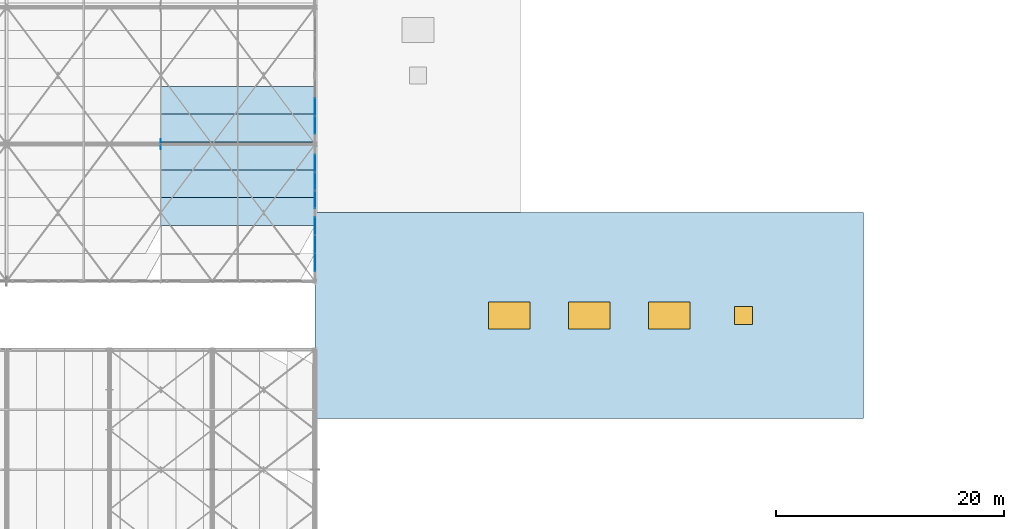
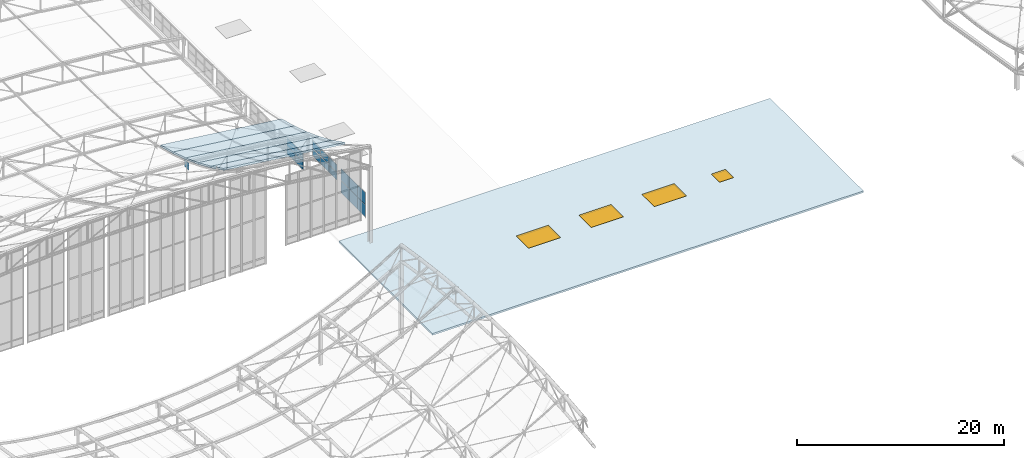
# One storey, part 222 of 262: 17 plates, 6 slabs, 4 windows, 4 openings, 3 elements without a shape of their own.
"""IFC4 building model written with IfcOpenShell, lengths in metres."""

from ifc_helpers import new_model, si_unit, derived_unit, direction, frame, origin, origin_2d, place, context, subcontext, project, spatial, polyline, rectangle, outline, extrude, material, layer, layer_set, type_object, element, fill, aggregate, save


model = new_model("IFC4")

# Units and contexts
model_context = context("Model", 3, precision=1e-05, world=origin(), true_north=direction((0.0, 1.0)))
body_context = subcontext(model_context, "Body", "Model", "MODEL_VIEW")
ifc_project = project(units=[si_unit("LENGTHUNIT", "METRE"), si_unit("AREAUNIT", "SQUARE_METRE"), si_unit("VOLUMEUNIT", "CUBIC_METRE"), si_unit("PLANEANGLEUNIT", "RADIAN"), si_unit("MASSUNIT", "GRAM", prefix="KILO"), derived_unit("THERMALTRANSMITTANCEUNIT", [(si_unit("POWERUNIT", "WATT"), 1), (si_unit("LENGTHUNIT", "METRE"), -2), (si_unit("THERMODYNAMICTEMPERATUREUNIT", "KELVIN"), -1)])], contexts=[model_context])

# Site, building, storey
site_placement = place(None, origin())
site = spatial("IfcSite", under=ifc_project, at=site_placement, CompositionType="ELEMENT")
building_placement = place(site_placement, origin())
building = spatial("IfcBuilding", under=site, at=building_placement, Name="Almenara Railside Exhibition Hall", CompositionType="ELEMENT")
storey_placement = place(building_placement, frame((0.0, 0.0, 21.699951171875)))
storey = spatial("IfcBuildingStorey", under=building, at=storey_placement, Name="RF", CompositionType="ELEMENT", Elevation=21.699951171875)

# Curtain wall, plates
ifc_material_1 = material(Name="Bronze-anodised aluminium and low-E double glazing", Category="aluminium")
ifc_layer_1 = layer(ifc_material_1, 0.179931640625, Name="Bronze-anodised aluminium and low-E double glazing")
ifc_layer_set_1 = layer_set([ifc_layer_1], Name="Bronze-anodised aluminium and low-E double glazing")
curtain_wall_type = type_object("IfcCurtainWallType", Name="West Hall Clerestory Curtain Wall 4200x2400", PredefinedType="NOTDEFINED", material=ifc_layer_set_1)
curtain_wall_1_placement = place(storey_placement, origin())
curtain_wall_1 = element("IfcCurtainWall", 1, at=curtain_wall_1_placement, inside=storey, type_object=curtain_wall_type, Name="Curtain wall CW-CL1-170", PredefinedType="NOTDEFINED")
ifc_material_2 = material(Name="Solar-control acoustic laminated glazing", Category="glass")
ifc_layer_2 = layer(ifc_material_2, 0.031982421875, Name="Solar-control acoustic laminated glazing")
ifc_layer_set_2 = layer_set([ifc_layer_2], Name="Solar-control acoustic laminated glazing")
plate_type_1 = type_object("IfcPlateType", Name="Acoustic Low-E Double Glazing Panel 32mm", PredefinedType="CURTAIN_PANEL", material=ifc_layer_set_2)
plate_1_placement = place(storey_placement, frame((66.0, 49.663818359375, 0.02392578125), z_axis=(0.0, 0.0, 1.0), x_axis=(0.0, 1.0, 0.0)))
plate_1 = element("IfcPlate", 2, at=plate_1_placement, type_object=plate_type_1, Name="CW-CL1-170 panel 1.1", PredefinedType="CURTAIN_PANEL", context=body_context, shape_type="SweptSolid", body=[
    extrude(rectangle(XDim=1.533447265625, YDim=0.031982421875, at=origin_2d()), origin(), (0.0, 0.0, 1.0), 1.39208984375),
])
plate_2_placement = place(storey_placement, frame((66.0, 49.663818359375, 1.47412109375), z_axis=(0.0, 0.0, 1.0), x_axis=(0.0, 1.0, 0.0)))
plate_2 = element("IfcPlate", 3, at=plate_2_placement, type_object=plate_type_1, Name="CW-CL1-170 panel 1.2", PredefinedType="CURTAIN_PANEL", context=body_context, shape_type="SweptSolid", body=[
    extrude(rectangle(XDim=1.533447265625, YDim=0.031982421875, at=origin_2d()), origin(), (0.0, 0.0, 1.0), 1.39208984375),
])
plate_3_placement = place(storey_placement, frame((66.0, 51.25, 0.02392578125), z_axis=(0.0, 0.0, 1.0), x_axis=(0.0, 1.0, 0.0)))
plate_3 = element("IfcPlate", 4, at=plate_3_placement, type_object=plate_type_1, Name="CW-CL1-170 panel 2.1", PredefinedType="CURTAIN_PANEL", context=body_context, shape_type="SweptSolid", body=[
    extrude(rectangle(XDim=1.56103515625, YDim=0.031982421875, at=origin_2d()), origin(), (0.0, 0.0, 1.0), 1.39208984375),
])
plate_4_placement = place(storey_placement, frame((66.0, 51.25, 1.47412109375), z_axis=(0.0, 0.0, 1.0), x_axis=(0.0, 1.0, 0.0)))
plate_4 = element("IfcPlate", 5, at=plate_4_placement, type_object=plate_type_1, Name="CW-CL1-170 panel 2.2", PredefinedType="CURTAIN_PANEL", context=body_context, shape_type="SweptSolid", body=[
    extrude(rectangle(XDim=1.56103515625, YDim=0.031982421875, at=origin_2d()), origin(), (0.0, 0.0, 1.0), 1.39208984375),
])
plate_5_placement = place(storey_placement, frame((66.0, 52.836181640625, 0.02392578125), z_axis=(0.0, 0.0, 1.0), x_axis=(0.0, 1.0, 0.0)))
plate_5 = element("IfcPlate", 6, at=plate_5_placement, type_object=plate_type_1, Name="CW-CL1-170 panel 3.1", PredefinedType="CURTAIN_PANEL", context=body_context, shape_type="SweptSolid", body=[
    extrude(rectangle(XDim=1.533447265625, YDim=0.031982421875, at=origin_2d()), origin(), (0.0, 0.0, 1.0), 1.39208984375),
])
plate_6_placement = place(storey_placement, frame((66.0, 52.836181640625, 1.47412109375), z_axis=(0.0, 0.0, 1.0), x_axis=(0.0, 1.0, 0.0)))
plate_6 = element("IfcPlate", 7, at=plate_6_placement, type_object=plate_type_1, Name="CW-CL1-170 panel 3.2", PredefinedType="CURTAIN_PANEL", context=body_context, shape_type="SweptSolid", body=[
    extrude(rectangle(XDim=1.533447265625, YDim=0.031982421875, at=origin_2d()), origin(), (0.0, 0.0, 1.0), 1.39208984375),
])
aggregate(curtain_wall_1, [plate_1, plate_2, plate_3, plate_4, plate_5, plate_6])

# Slab, openings, windows
ifc_material_3 = material(Name="White standing-seam over Concrete C35/45 vault deck", Category="concrete")
ifc_layer_3 = layer(ifc_material_3, 0.2099609375, Name="White standing-seam over Concrete C35/45 vault deck")
ifc_layer_set_3 = layer_set([ifc_layer_3], Name="White standing-seam over Concrete C35/45 vault deck")
slab_type_1 = type_object("IfcSlabType", Name="Concourse Barrel-Vault Roof Slab 210mm C35/45", PredefinedType="ROOF", material=ifc_layer_set_3)
slab_1_placement = place(storey_placement, frame((0.0, 0.0, -6.099853515625)))
slab_1 = element("IfcSlab", 8, at=slab_1_placement, inside=storey, type_object=slab_type_1, Name="Concourse South roof 028", PredefinedType="ROOF", context=body_context, shape_type="SweptSolid", body=[
    extrude(outline(polyline([(66.0, 36.0), (114.0, 36.0), (114.0, 54.0), (66.0, 54.0), (66.0, 36.0)])), origin(), (0.0, 0.0, 1.0), 0.2099609375),
])
opening_1_placement = place(slab_1_placement, frame((83.0, 45.0, 0.0)))
opening_1 = element("IfcOpeningElement", 9, at=opening_1_placement, cuts=slab_1, Name="Opening SK-01", PredefinedType="OPENING", context=body_context, shape_type="SweptSolid", body=[
    extrude(rectangle(XDim=3.60009765625, YDim=2.39990234375, at=origin_2d()), frame((0.0, 0.0, -0.010009765625)), (0.0, 0.0, 1.0), 0.22998046875),
])
opening_2_placement = place(slab_1_placement, frame((90.0, 45.0, 0.0)))
opening_2 = element("IfcOpeningElement", 10, at=opening_2_placement, cuts=slab_1, Name="Opening SK-01", PredefinedType="OPENING", context=body_context, shape_type="SweptSolid", body=[
    extrude(rectangle(XDim=3.60009765625, YDim=2.39990234375, at=origin_2d()), frame((0.0, 0.0, -0.010009765625)), (0.0, 0.0, 1.0), 0.22998046875),
])
opening_3_placement = place(slab_1_placement, frame((97.0, 45.0, 0.0)))
opening_3 = element("IfcOpeningElement", 11, at=opening_3_placement, cuts=slab_1, Name="Opening SK-01", PredefinedType="OPENING", context=body_context, shape_type="SweptSolid", body=[
    extrude(rectangle(XDim=3.60009765625, YDim=2.39990234375, at=origin_2d()), frame((0.0, 0.0, -0.010009765625)), (0.0, 0.0, 1.0), 0.22998046875),
])
opening_4_placement = place(slab_1_placement, frame((103.5, 45.0, 0.0)))
opening_4 = element("IfcOpeningElement", 12, at=opening_4_placement, cuts=slab_1, Name="Opening SK-03", PredefinedType="OPENING", context=body_context, shape_type="SweptSolid", body=[
    extrude(rectangle(XDim=1.60009765625, YDim=1.60009765625, at=origin_2d()), frame((0.0, 0.0, -0.010009765625)), (0.0, 0.0, 1.0), 0.22998046875),
])
window_type_1 = type_object("IfcWindowType", Name="Concourse Roof Skylight 3600x2400", PartitioningType="DOUBLE_PANEL_HORIZONTAL", PredefinedType="SKYLIGHT", material=ifc_material_1)
window_1_placement = place(opening_1_placement, frame((0.0, 0.0, 0.159912109375)))
window_1 = element("IfcWindow", 13, at=window_1_placement, inside=storey, type_object=window_type_1, Name="Roof skylight 0130", OverallHeight=2.39990234375, OverallWidth=3.60009765625, PartitioningType="SINGLE_PANEL", PredefinedType="SKYLIGHT", context=body_context, shape_type="SweptSolid", body=[
    extrude(rectangle(XDim=3.60009765625, YDim=2.39990234375, at=origin_2d()), origin(), (0.0, 0.0, 1.0), 0.050048828125),
])
fill(opening_1, window_1)
window_2_placement = place(opening_2_placement, frame((0.0, 0.0, 0.159912109375)))
window_2 = element("IfcWindow", 14, at=window_2_placement, inside=storey, type_object=window_type_1, Name="Roof skylight 0131", OverallHeight=2.39990234375, OverallWidth=3.60009765625, PartitioningType="SINGLE_PANEL", PredefinedType="SKYLIGHT", context=body_context, shape_type="SweptSolid", body=[
    extrude(rectangle(XDim=3.60009765625, YDim=2.39990234375, at=origin_2d()), origin(), (0.0, 0.0, 1.0), 0.050048828125),
])
fill(opening_2, window_2)
window_3_placement = place(opening_3_placement, frame((0.0, 0.0, 0.159912109375)))
window_3 = element("IfcWindow", 15, at=window_3_placement, inside=storey, type_object=window_type_1, Name="Roof skylight 0132", OverallHeight=2.39990234375, OverallWidth=3.60009765625, PartitioningType="SINGLE_PANEL", PredefinedType="SKYLIGHT", context=body_context, shape_type="SweptSolid", body=[
    extrude(rectangle(XDim=3.60009765625, YDim=2.39990234375, at=origin_2d()), origin(), (0.0, 0.0, 1.0), 0.050048828125),
])
fill(opening_3, window_3)
window_type_2 = type_object("IfcWindowType", Name="Hall Smoke-Vent Lantern Skylight 1600x1600", PartitioningType="SINGLE_PANEL", PredefinedType="SKYLIGHT", material=ifc_material_1)
window_4_placement = place(opening_4_placement, frame((0.0, 0.0, 0.159912109375)))
window_4 = element("IfcWindow", 16, at=window_4_placement, inside=storey, type_object=window_type_2, Name="Roof skylight 0136", OverallHeight=1.60009765625, OverallWidth=1.60009765625, PartitioningType="SINGLE_PANEL", PredefinedType="SKYLIGHT", context=body_context, shape_type="SweptSolid", body=[
    extrude(rectangle(XDim=1.60009765625, YDim=1.60009765625, at=origin_2d()), origin(), (0.0, 0.0, 1.0), 0.050048828125),
])
fill(opening_4, window_4)

# Curtain wall, plates
curtain_wall_2_placement = place(storey_placement, origin())
curtain_wall_2 = element("IfcCurtainWall", 17, at=curtain_wall_2_placement, inside=storey, type_object=curtain_wall_type, Name="Curtain wall CW-CL1-174", PredefinedType="NOTDEFINED")
ifc_material_4 = material(Name="Bronze-anodised insulated aluminium spandrel", Category="aluminium")
ifc_layer_4 = layer(ifc_material_4, 0.034912109375, Name="Bronze-anodised insulated aluminium spandrel")
ifc_layer_set_4 = layer_set([ifc_layer_4], Name="Bronze-anodised insulated aluminium spandrel")
plate_type_2 = type_object("IfcPlateType", Name="Insulated Stucco-Tone Spandrel Panel 35mm", PredefinedType="CURTAIN_PANEL", material=ifc_layer_set_4)
plate_7_placement = place(storey_placement, frame((66.0, 61.663818359375, -1.7158203125), z_axis=(0.0, 0.0, 1.0), x_axis=(0.0, 1.0, 0.0)))
plate_7 = element("IfcPlate", 18, at=plate_7_placement, type_object=plate_type_2, Name="CW-CL1-174 panel 1.1", PredefinedType="CURTAIN_PANEL", context=body_context, shape_type="SweptSolid", body=[
    extrude(rectangle(XDim=1.533447265625, YDim=0.034912109375, at=origin_2d()), origin(), (0.0, 0.0, 1.0), 0.922119140625),
])
plate_8_placement = place(storey_placement, frame((66.0, 61.663818359375, -0.73583984375), z_axis=(0.0, 0.0, 1.0), x_axis=(0.0, 1.0, 0.0)))
plate_8 = element("IfcPlate", 19, at=plate_8_placement, type_object=plate_type_2, Name="CW-CL1-174 panel 1.2", PredefinedType="CURTAIN_PANEL", context=body_context, shape_type="SweptSolid", body=[
    extrude(rectangle(XDim=1.533447265625, YDim=0.034912109375, at=origin_2d()), origin(), (0.0, 0.0, 1.0), 0.922119140625),
])
plate_9_placement = place(storey_placement, frame((66.0, 63.25, -1.7158203125), z_axis=(0.0, 0.0, 1.0), x_axis=(0.0, 1.0, 0.0)))
plate_9 = element("IfcPlate", 20, at=plate_9_placement, type_object=plate_type_2, Name="CW-CL1-174 panel 2.1", PredefinedType="CURTAIN_PANEL", context=body_context, shape_type="SweptSolid", body=[
    extrude(rectangle(XDim=1.56103515625, YDim=0.034912109375, at=origin_2d()), origin(), (0.0, 0.0, 1.0), 0.922119140625),
])
plate_10_placement = place(storey_placement, frame((66.0, 63.25, -0.73583984375), z_axis=(0.0, 0.0, 1.0), x_axis=(0.0, 1.0, 0.0)))
plate_10 = element("IfcPlate", 21, at=plate_10_placement, type_object=plate_type_2, Name="CW-CL1-174 panel 2.2", PredefinedType="CURTAIN_PANEL", context=body_context, shape_type="SweptSolid", body=[
    extrude(rectangle(XDim=1.56103515625, YDim=0.034912109375, at=origin_2d()), origin(), (0.0, 0.0, 1.0), 0.922119140625),
])
aggregate(curtain_wall_2, [plate_7, plate_8, plate_9, plate_10])

curtain_wall_3_placement = place(storey_placement, origin())
curtain_wall_3 = element("IfcCurtainWall", 22, at=curtain_wall_3_placement, inside=storey, type_object=curtain_wall_type, Name="Curtain wall CW-CL1-171", PredefinedType="NOTDEFINED")
ifc_material_5 = material(Name="Solar-control low-E laminated double glazing", Category="glass")
ifc_layer_5 = layer(ifc_material_5, 0.028076171875, Name="Solar-control low-E laminated double glazing")
ifc_layer_set_5 = layer_set([ifc_layer_5], Name="Solar-control low-E laminated double glazing")
plate_type_3 = type_object("IfcPlateType", Name="Low-E Solar Control Double Glazing Panel 28mm", PredefinedType="CURTAIN_PANEL", material=ifc_layer_set_5)
plate_11_placement = place(storey_placement, frame((66.0, 55.16748046875, 1.0341796875), z_axis=(0.0, 0.0, 1.0), x_axis=(0.0, 1.0, 0.0)))
plate_11 = element("IfcPlate", 23, at=plate_11_placement, type_object=plate_type_3, Name="CW-CL1-171 panel 1.1", PredefinedType="CURTAIN_PANEL", context=body_context, shape_type="SweptSolid", body=[
    extrude(rectangle(XDim=1.510986328125, YDim=0.028076171875, at=origin_2d()), origin(), (0.0, 0.0, 1.0), 0.81689453125),
])
plate_12_placement = place(storey_placement, frame((66.0, 55.16748046875, 1.97900390625), z_axis=(0.0, 0.0, 1.0), x_axis=(0.0, 1.0, 0.0)))
plate_12 = element("IfcPlate", 24, at=plate_12_placement, type_object=plate_type_3, Name="CW-CL1-171 panel 1.2", PredefinedType="CURTAIN_PANEL", context=body_context, shape_type="SweptSolid", body=[
    extrude(rectangle(XDim=1.510986328125, YDim=0.028076171875, at=origin_2d()), origin(), (0.0, 0.0, 1.0), 0.81689453125),
])
plate_13_placement = place(storey_placement, frame((66.0, 56.75, 1.0341796875), z_axis=(0.0, 0.0, 1.0), x_axis=(0.0, 1.0, 0.0)))
plate_13 = element("IfcPlate", 25, at=plate_13_placement, type_object=plate_type_3, Name="CW-CL1-171 panel 2.1", PredefinedType="CURTAIN_PANEL", context=body_context, shape_type="SweptSolid", body=[
    extrude(rectangle(XDim=1.5458984375, YDim=0.028076171875, at=origin_2d()), origin(), (0.0, 0.0, 1.0), 0.81689453125),
])
plate_14_placement = place(storey_placement, frame((66.0, 56.75, 1.97900390625), z_axis=(0.0, 0.0, 1.0), x_axis=(0.0, 1.0, 0.0)))
plate_14 = element("IfcPlate", 26, at=plate_14_placement, type_object=plate_type_3, Name="CW-CL1-171 panel 2.2", PredefinedType="CURTAIN_PANEL", context=body_context, shape_type="SweptSolid", body=[
    extrude(rectangle(XDim=1.5458984375, YDim=0.028076171875, at=origin_2d()), origin(), (0.0, 0.0, 1.0), 0.81689453125),
])
plate_15_placement = place(storey_placement, frame((66.0, 58.33251953125, 1.0341796875), z_axis=(0.0, 0.0, 1.0), x_axis=(0.0, 1.0, 0.0)))
plate_15 = element("IfcPlate", 27, at=plate_15_placement, type_object=plate_type_3, Name="CW-CL1-171 panel 3.1", PredefinedType="CURTAIN_PANEL", context=body_context, shape_type="SweptSolid", body=[
    extrude(rectangle(XDim=1.510986328125, YDim=0.028076171875, at=origin_2d()), origin(), (0.0, 0.0, 1.0), 0.81689453125),
])
plate_16_placement = place(storey_placement, frame((66.0, 58.33251953125, 1.97900390625), z_axis=(0.0, 0.0, 1.0), x_axis=(0.0, 1.0, 0.0)))
plate_16 = element("IfcPlate", 28, at=plate_16_placement, type_object=plate_type_3, Name="CW-CL1-171 panel 3.2", PredefinedType="CURTAIN_PANEL", context=body_context, shape_type="SweptSolid", body=[
    extrude(rectangle(XDim=1.510986328125, YDim=0.028076171875, at=origin_2d()), origin(), (0.0, 0.0, 1.0), 0.81689453125),
])
aggregate(curtain_wall_3, [plate_11, plate_12, plate_13, plate_14, plate_15, plate_16])

# Slabs
ifc_material_6 = material(Name="White standing-seam insulated steel S355JR roof deck", Category="steel")
ifc_layer_6 = layer(ifc_material_6, 0.195068359375, Name="White standing-seam insulated steel S355JR roof deck")
ifc_layer_set_6 = layer_set([ifc_layer_6], Name="White standing-seam insulated steel S355JR roof deck")
slab_type_2 = type_object("IfcSlabType", Name="Scroll Standing-Seam Insulated Roof Cassette 195mm S355JR", PredefinedType="ROOF", material=ifc_layer_set_6)
slab_2_placement = place(storey_placement, frame((52.5, 52.873291015625, 8.052490234375), z_axis=(0.108779023727, 0.442668279908, 0.890062873038), x_axis=(0.992614382556, 0.0, -0.121312355276)))
element("IfcSlab", 29, at=slab_2_placement, inside=storey, type_object=slab_type_2, Name="V1 roof cassette RC-V1-03D", PredefinedType="ROOF", context=body_context, shape_type="SweptSolid", body=[
    extrude(outline(polyline([(0.0, 0.0), (13.600447703804157, 0.0), (13.747467853117554, 2.717527736819313), (0.14702014931339696, 2.717527736819313), (0.0, 0.0)])), origin(), (0.0, 0.0, -1.0), 0.195068359375),
])
slab_3_placement = place(storey_placement, frame((52.5, 55.31005859375, 6.840576171875), z_axis=(0.111406823331, 0.395931745169, 0.911496885833), x_axis=(0.992613471158, -3.23916e-06, -0.121319812333)))
element("IfcSlab", 30, at=slab_3_placement, inside=storey, type_object=slab_type_2, Name="V1 roof cassette RC-V1-04D", PredefinedType="ROOF", context=body_context, shape_type="SweptSolid", body=[
    extrude(outline(polyline([(0.0, 0.0), (13.600447703349015, 0.0), (13.728868205356042, 2.6536701226083514), (0.12839088291221812, 2.65357417350074), (0.0, 0.0)])), origin(), (0.0, 0.0, -1.0), 0.195068359375),
])
slab_4_placement = place(storey_placement, frame((52.5, 57.746826171875, 5.7822265625), z_axis=(0.113689134993, 0.349265556374, 0.93010125885), x_axis=(0.992612220818, 0.0, -0.121330041965)))
element("IfcSlab", 31, at=slab_4_placement, inside=storey, type_object=slab_type_2, Name="V1 roof cassette RC-V1-05D", PredefinedType="ROOF", context=body_context, shape_type="SweptSolid", body=[
    extrude(outline(polyline([(0.0, 0.0), (13.600477323237415, 0.0), (13.711499051090328, 2.600539730834084), (0.11102172785291241, 2.600539730834084), (0.0, 0.0)])), origin(), (0.0, 0.0, -1.0), 0.195068359375),
])
slab_5_placement = place(storey_placement, frame((52.5, 60.18359375, 4.8671875), z_axis=(0.115631959608, 0.302636738993, 0.94606567115), x_axis=(0.992613202726, 2.569797e-06, -0.121322008587)))
element("IfcSlab", 32, at=slab_5_placement, inside=storey, type_object=slab_type_2, Name="V1 roof cassette RC-V1-06D", PredefinedType="ROOF", context=body_context, shape_type="SweptSolid", body=[
    extrude(outline(polyline([(0.0, 0.0), (13.600477322747098, 0.0), (13.695029446278234, 2.5563665549897565), (0.09458174316213971, 2.5564398950594835), (0.0, 0.0)])), origin(), (0.0, 0.0, -1.0), 0.195068359375),
])
slab_6_placement = place(storey_placement, frame((52.5, 62.6201171875, 4.087646484375), z_axis=(0.117269500977, 0.256010464129, 0.959534525901), x_axis=(0.992614382556, 0.0, -0.121312355276)))
element("IfcSlab", 33, at=slab_6_placement, inside=storey, type_object=slab_type_2, Name="V1 roof cassette RC-V1-07D", PredefinedType="ROOF", context=body_context, shape_type="SweptSolid", body=[
    extrude(outline(polyline([(0.0, 0.0), (13.600447703804157, 0.0), (13.679318505097786, 2.5207748962669503), (0.07887080129362936, 2.5207748962669503), (0.0, 0.0)])), origin(), (0.0, 0.0, -1.0), 0.195068359375),
])

# Plate
ifc_material_7 = material(Name="Structural steel S355JR", Category="steel")
ifc_layer_7 = layer(ifc_material_7, 0.028076171875, Name="Structural steel S355JR")
ifc_layer_set_7 = layer_set([ifc_layer_7], Name="Structural steel S355JR")
plate_type_4 = type_object("IfcPlateType", Name="Truss Node Gusset Plate 28mm S355JR", PredefinedType="USERDEFINED", material=ifc_layer_set_7)
plate_17_placement = place(storey_placement, frame((52.5, 60.0, 3.716064453125), z_axis=(0.0, 0.0, 1.0), x_axis=(0.0, 1.0, 0.0)))
element("IfcPlate", 34, at=plate_17_placement, inside=storey, type_object=plate_type_4, Name="PLT-GUS-0009", ObjectType="GUSSET_PLATE", PredefinedType="USERDEFINED", context=body_context, shape_type="SweptSolid", body=[
    extrude(rectangle(XDim=0.85009765625, YDim=0.028076171875, at=origin_2d()), origin(), (0.0, 0.0, 1.0), 0.85009765625),
])

save(model, "model.ifc")
